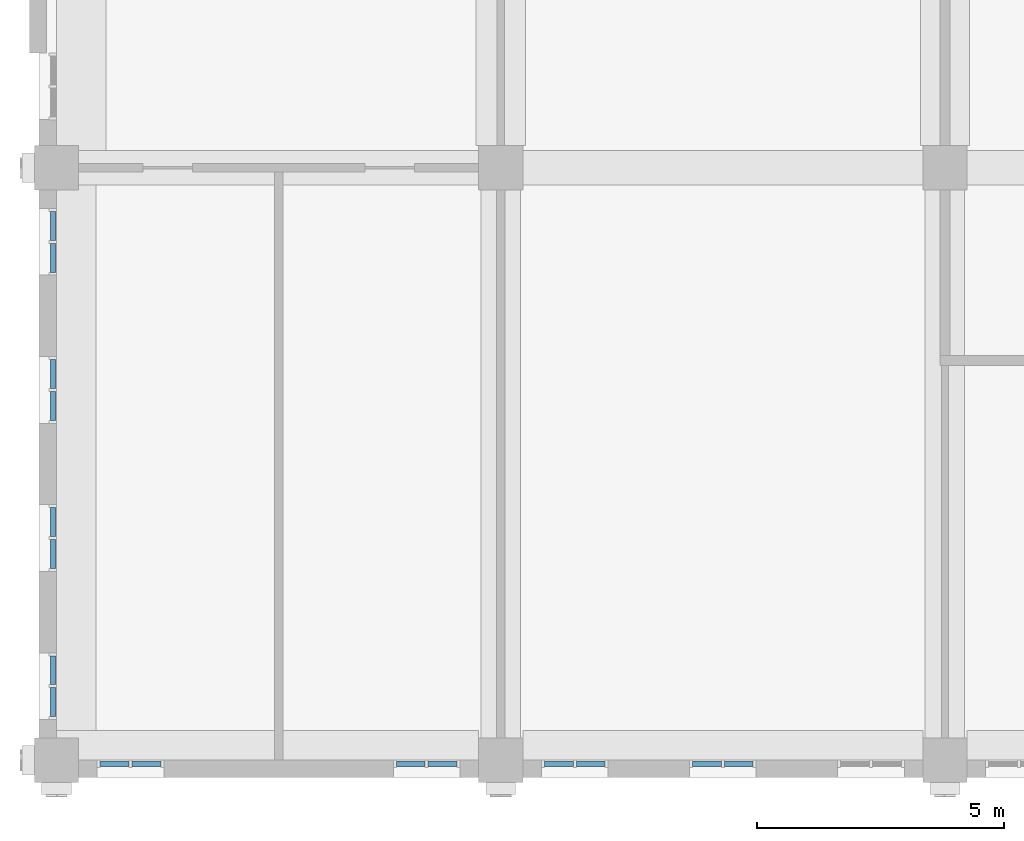
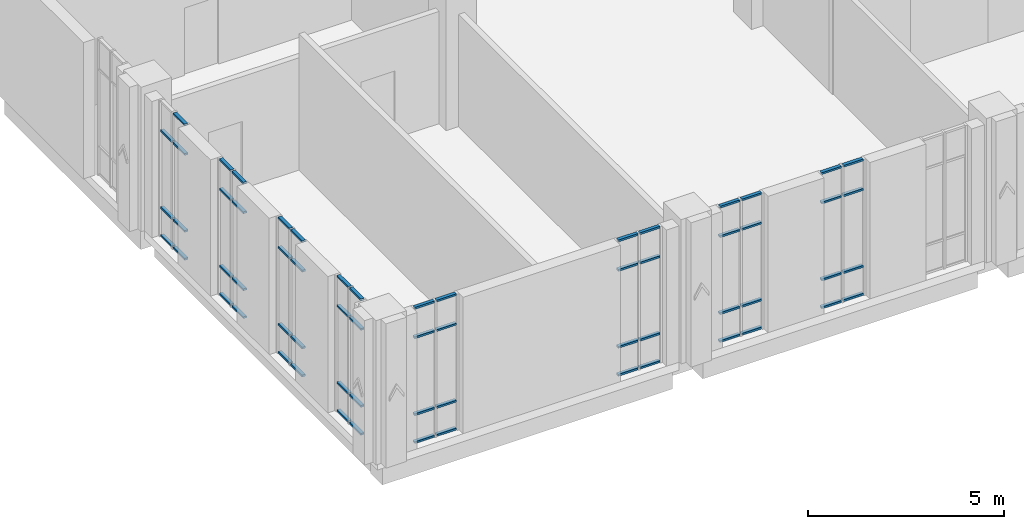
# One storey, part 4 of 13: 63 members, 8 elements without a shape of their own.
"""IFC4 building model written with IfcOpenShell, lengths in metres."""

from ifc_helpers import new_model, si_unit, direction, frame, origin, origin_2d, place, context, subcontext, project, spatial, rectangle, extrude, material, layer, layer_set, material_profile, profile_set, type_object, element, aggregate, save


model = new_model("IFC4")

# Units and contexts
model_context = context("Model", 3, precision=1e-05, world=origin(), true_north=direction((0.0, 1.0)))
body_context = subcontext(model_context, "Body", "Model", "MODEL_VIEW")
ifc_project = project(units=[si_unit("LENGTHUNIT", "METRE"), si_unit("AREAUNIT", "SQUARE_METRE"), si_unit("VOLUMEUNIT", "CUBIC_METRE"), si_unit("PLANEANGLEUNIT", "RADIAN"), si_unit("MASSUNIT", "GRAM", prefix="KILO")], contexts=[model_context])

# Site, building, storey
site_placement = place(None, origin())
site = spatial("IfcSite", under=ifc_project, at=site_placement, CompositionType="ELEMENT")
building_placement = place(site_placement, origin())
building = spatial("IfcBuilding", under=site, at=building_placement, Name="Aurelan Courthouse", CompositionType="ELEMENT")
storey_placement = place(building_placement, frame((0.0, 0.0, 48.89990234375)))
storey = spatial("IfcBuildingStorey", under=building, at=storey_placement, Name="L09", CompositionType="ELEMENT", Elevation=48.89990234375)

# Curtain wall, members
ifc_material_1 = material(Name="Bronze-finished aluminium and glass", Category="aluminium")
ifc_layer = layer(ifc_material_1, 0.14990234375)
ifc_layer_set = layer_set([ifc_layer], Name="Bronze-finished aluminium and glass")
curtain_wall_type = type_object("IfcCurtainWallType", Name="Curtain wall 1350 x 4250", PredefinedType="NOTDEFINED", material=ifc_layer_set)
curtain_wall_1_placement = place(storey_placement, origin())
curtain_wall_1 = element("IfcCurtainWall", 1, at=curtain_wall_1_placement, inside=storey, type_object=curtain_wall_type, Name="Curtain wall CW-V5-L09-S01", PredefinedType="NOTDEFINED")
ifc_material_2 = material(Name="Bronze-finished aluminium", Category="aluminium")
ifc_material_profile = material_profile(ifc_material_2, rectangle(XDim=0.10009765625, YDim=0.06005859375, at=origin_2d()), Name="Bronze transom 60 x 100")
ifc_profile_set = profile_set([ifc_material_profile], Name="Bronze-finished aluminium")
member_type = type_object("IfcMemberType", Name="Curtain wall transom 60 x 100", PredefinedType="USERDEFINED", material=ifc_profile_set)
member_1_placement = place(storey_placement, frame((0.885009765625, -0.074951171875, 0.030029296875), z_axis=(1.0, 0.0, 0.0), x_axis=(0.0, 1.0, 0.0)))
member_1 = element("IfcMember", 2, at=member_1_placement, type_object=member_type, Name="CW-V5-L09-S01 transom 1.1", ObjectType="TRANSOM", PredefinedType="USERDEFINED", context=body_context, shape_type="SweptSolid", body=[
    extrude(rectangle(XDim=0.10009765625, YDim=0.06005859375, at=origin_2d()), origin(), (0.0, 0.0, 1.0), 0.5849609375),
])
member_2_placement = place(storey_placement, frame((0.885009765625, -0.074951171875, 0.900146484375), z_axis=(1.0, 0.0, 0.0), x_axis=(0.0, 1.0, 0.0)))
member_2 = element("IfcMember", 3, at=member_2_placement, type_object=member_type, Name="CW-V5-L09-S01 transom 1.2", ObjectType="TRANSOM", PredefinedType="USERDEFINED", context=body_context, shape_type="SweptSolid", body=[
    extrude(rectangle(XDim=0.10009765625, YDim=0.06005859375, at=origin_2d()), origin(), (0.0, 0.0, 1.0), 0.5849609375),
])
member_3_placement = place(storey_placement, frame((0.885009765625, -0.074951171875, 3.300048828125), z_axis=(1.0, 0.0, 0.0), x_axis=(0.0, 1.0, 0.0)))
member_3 = element("IfcMember", 4, at=member_3_placement, type_object=member_type, Name="CW-V5-L09-S01 transom 1.3", ObjectType="TRANSOM", PredefinedType="USERDEFINED", context=body_context, shape_type="SweptSolid", body=[
    extrude(rectangle(XDim=0.10009765625, YDim=0.06005859375, at=origin_2d()), origin(), (0.0, 0.0, 1.0), 0.5849609375),
])
member_4_placement = place(storey_placement, frame((0.885009765625, -0.074951171875, 4.22021484375), z_axis=(1.0, 0.0, 0.0), x_axis=(0.0, 1.0, 0.0)))
member_4 = element("IfcMember", 5, at=member_4_placement, type_object=member_type, Name="CW-V5-L09-S01 transom 1.4", ObjectType="TRANSOM", PredefinedType="USERDEFINED", context=body_context, shape_type="SweptSolid", body=[
    extrude(rectangle(XDim=0.10009765625, YDim=0.06005859375, at=origin_2d()), origin(), (0.0, 0.0, 1.0), 0.5849609375),
])
member_5_placement = place(storey_placement, frame((1.530029296875, -0.074951171875, 0.030029296875), z_axis=(1.0, 0.0, 0.0), x_axis=(0.0, 1.0, 0.0)))
member_5 = element("IfcMember", 6, at=member_5_placement, type_object=member_type, Name="CW-V5-L09-S01 transom 2.1", ObjectType="TRANSOM", PredefinedType="USERDEFINED", context=body_context, shape_type="SweptSolid", body=[
    extrude(rectangle(XDim=0.10009765625, YDim=0.06005859375, at=origin_2d()), origin(), (0.0, 0.0, 1.0), 0.5849609375),
])
member_6_placement = place(storey_placement, frame((1.530029296875, -0.074951171875, 0.900146484375), z_axis=(1.0, 0.0, 0.0), x_axis=(0.0, 1.0, 0.0)))
member_6 = element("IfcMember", 7, at=member_6_placement, type_object=member_type, Name="CW-V5-L09-S01 transom 2.2", ObjectType="TRANSOM", PredefinedType="USERDEFINED", context=body_context, shape_type="SweptSolid", body=[
    extrude(rectangle(XDim=0.10009765625, YDim=0.06005859375, at=origin_2d()), origin(), (0.0, 0.0, 1.0), 0.5849609375),
])
member_7_placement = place(storey_placement, frame((1.530029296875, -0.074951171875, 3.300048828125), z_axis=(1.0, 0.0, 0.0), x_axis=(0.0, 1.0, 0.0)))
member_7 = element("IfcMember", 8, at=member_7_placement, type_object=member_type, Name="CW-V5-L09-S01 transom 2.3", ObjectType="TRANSOM", PredefinedType="USERDEFINED", context=body_context, shape_type="SweptSolid", body=[
    extrude(rectangle(XDim=0.10009765625, YDim=0.06005859375, at=origin_2d()), origin(), (0.0, 0.0, 1.0), 0.5849609375),
])
member_8_placement = place(storey_placement, frame((1.530029296875, -0.074951171875, 4.22021484375), z_axis=(1.0, 0.0, 0.0), x_axis=(0.0, 1.0, 0.0)))
member_8 = element("IfcMember", 9, at=member_8_placement, type_object=member_type, Name="CW-V5-L09-S01 transom 2.4", ObjectType="TRANSOM", PredefinedType="USERDEFINED", context=body_context, shape_type="SweptSolid", body=[
    extrude(rectangle(XDim=0.10009765625, YDim=0.06005859375, at=origin_2d()), origin(), (0.0, 0.0, 1.0), 0.5849609375),
])
aggregate(curtain_wall_1, [member_1, member_2, member_3, member_4, member_5, member_6, member_7, member_8])

curtain_wall_2_placement = place(storey_placement, origin())
curtain_wall_2 = element("IfcCurtainWall", 10, at=curtain_wall_2_placement, inside=storey, type_object=curtain_wall_type, Name="Curtain wall CW-V5-L09-S02", PredefinedType="NOTDEFINED")
member_9_placement = place(storey_placement, frame((6.885009765625, -0.074951171875, 0.030029296875), z_axis=(1.0, 0.0, 0.0), x_axis=(0.0, 1.0, 0.0)))
member_9 = element("IfcMember", 11, at=member_9_placement, type_object=member_type, Name="CW-V5-L09-S02 transom 1.1", ObjectType="TRANSOM", PredefinedType="USERDEFINED", context=body_context, shape_type="SweptSolid", body=[
    extrude(rectangle(XDim=0.10009765625, YDim=0.06005859375, at=origin_2d()), origin(), (0.0, 0.0, 1.0), 0.5849609375),
])
member_10_placement = place(storey_placement, frame((6.885009765625, -0.074951171875, 0.900146484375), z_axis=(1.0, 0.0, 0.0), x_axis=(0.0, 1.0, 0.0)))
member_10 = element("IfcMember", 12, at=member_10_placement, type_object=member_type, Name="CW-V5-L09-S02 transom 1.2", ObjectType="TRANSOM", PredefinedType="USERDEFINED", context=body_context, shape_type="SweptSolid", body=[
    extrude(rectangle(XDim=0.10009765625, YDim=0.06005859375, at=origin_2d()), origin(), (0.0, 0.0, 1.0), 0.5849609375),
])
member_11_placement = place(storey_placement, frame((6.885009765625, -0.074951171875, 3.300048828125), z_axis=(1.0, 0.0, 0.0), x_axis=(0.0, 1.0, 0.0)))
member_11 = element("IfcMember", 13, at=member_11_placement, type_object=member_type, Name="CW-V5-L09-S02 transom 1.3", ObjectType="TRANSOM", PredefinedType="USERDEFINED", context=body_context, shape_type="SweptSolid", body=[
    extrude(rectangle(XDim=0.10009765625, YDim=0.06005859375, at=origin_2d()), origin(), (0.0, 0.0, 1.0), 0.5849609375),
])
member_12_placement = place(storey_placement, frame((6.885009765625, -0.074951171875, 4.22021484375), z_axis=(1.0, 0.0, 0.0), x_axis=(0.0, 1.0, 0.0)))
member_12 = element("IfcMember", 14, at=member_12_placement, type_object=member_type, Name="CW-V5-L09-S02 transom 1.4", ObjectType="TRANSOM", PredefinedType="USERDEFINED", context=body_context, shape_type="SweptSolid", body=[
    extrude(rectangle(XDim=0.10009765625, YDim=0.06005859375, at=origin_2d()), origin(), (0.0, 0.0, 1.0), 0.5849609375),
])
member_13_placement = place(storey_placement, frame((7.530029296875, -0.074951171875, 0.030029296875), z_axis=(1.0, 0.0, 0.0), x_axis=(0.0, 1.0, 0.0)))
member_13 = element("IfcMember", 15, at=member_13_placement, type_object=member_type, Name="CW-V5-L09-S02 transom 2.1", ObjectType="TRANSOM", PredefinedType="USERDEFINED", context=body_context, shape_type="SweptSolid", body=[
    extrude(rectangle(XDim=0.10009765625, YDim=0.06005859375, at=origin_2d()), origin(), (0.0, 0.0, 1.0), 0.5849609375),
])
member_14_placement = place(storey_placement, frame((7.530029296875, -0.074951171875, 0.900146484375), z_axis=(1.0, 0.0, 0.0), x_axis=(0.0, 1.0, 0.0)))
member_14 = element("IfcMember", 16, at=member_14_placement, type_object=member_type, Name="CW-V5-L09-S02 transom 2.2", ObjectType="TRANSOM", PredefinedType="USERDEFINED", context=body_context, shape_type="SweptSolid", body=[
    extrude(rectangle(XDim=0.10009765625, YDim=0.06005859375, at=origin_2d()), origin(), (0.0, 0.0, 1.0), 0.5849609375),
])
member_15_placement = place(storey_placement, frame((7.530029296875, -0.074951171875, 3.300048828125), z_axis=(1.0, 0.0, 0.0), x_axis=(0.0, 1.0, 0.0)))
member_15 = element("IfcMember", 17, at=member_15_placement, type_object=member_type, Name="CW-V5-L09-S02 transom 2.3", ObjectType="TRANSOM", PredefinedType="USERDEFINED", context=body_context, shape_type="SweptSolid", body=[
    extrude(rectangle(XDim=0.10009765625, YDim=0.06005859375, at=origin_2d()), origin(), (0.0, 0.0, 1.0), 0.5849609375),
])
member_16_placement = place(storey_placement, frame((7.530029296875, -0.074951171875, 4.22021484375), z_axis=(1.0, 0.0, 0.0), x_axis=(0.0, 1.0, 0.0)))
member_16 = element("IfcMember", 18, at=member_16_placement, type_object=member_type, Name="CW-V5-L09-S02 transom 2.4", ObjectType="TRANSOM", PredefinedType="USERDEFINED", context=body_context, shape_type="SweptSolid", body=[
    extrude(rectangle(XDim=0.10009765625, YDim=0.06005859375, at=origin_2d()), origin(), (0.0, 0.0, 1.0), 0.5849609375),
])
aggregate(curtain_wall_2, [member_9, member_10, member_11, member_12, member_13, member_14, member_15, member_16])

curtain_wall_3_placement = place(storey_placement, origin())
curtain_wall_3 = element("IfcCurtainWall", 19, at=curtain_wall_3_placement, inside=storey, type_object=curtain_wall_type, Name="Curtain wall CW-V5-L09-S03", PredefinedType="NOTDEFINED")
member_17_placement = place(storey_placement, frame((9.885009765625, -0.074951171875, 0.030029296875), z_axis=(1.0, 0.0, 0.0), x_axis=(0.0, 1.0, 0.0)))
member_17 = element("IfcMember", 20, at=member_17_placement, type_object=member_type, Name="CW-V5-L09-S03 transom 1.1", ObjectType="TRANSOM", PredefinedType="USERDEFINED", context=body_context, shape_type="SweptSolid", body=[
    extrude(rectangle(XDim=0.10009765625, YDim=0.06005859375, at=origin_2d()), origin(), (0.0, 0.0, 1.0), 0.5849609375),
])
member_18_placement = place(storey_placement, frame((9.885009765625, -0.074951171875, 0.900146484375), z_axis=(1.0, 0.0, 0.0), x_axis=(0.0, 1.0, 0.0)))
member_18 = element("IfcMember", 21, at=member_18_placement, type_object=member_type, Name="CW-V5-L09-S03 transom 1.2", ObjectType="TRANSOM", PredefinedType="USERDEFINED", context=body_context, shape_type="SweptSolid", body=[
    extrude(rectangle(XDim=0.10009765625, YDim=0.06005859375, at=origin_2d()), origin(), (0.0, 0.0, 1.0), 0.5849609375),
])
member_19_placement = place(storey_placement, frame((9.885009765625, -0.074951171875, 3.300048828125), z_axis=(1.0, 0.0, 0.0), x_axis=(0.0, 1.0, 0.0)))
member_19 = element("IfcMember", 22, at=member_19_placement, type_object=member_type, Name="CW-V5-L09-S03 transom 1.3", ObjectType="TRANSOM", PredefinedType="USERDEFINED", context=body_context, shape_type="SweptSolid", body=[
    extrude(rectangle(XDim=0.10009765625, YDim=0.06005859375, at=origin_2d()), origin(), (0.0, 0.0, 1.0), 0.5849609375),
])
member_20_placement = place(storey_placement, frame((9.885009765625, -0.074951171875, 4.22021484375), z_axis=(1.0, 0.0, 0.0), x_axis=(0.0, 1.0, 0.0)))
member_20 = element("IfcMember", 23, at=member_20_placement, type_object=member_type, Name="CW-V5-L09-S03 transom 1.4", ObjectType="TRANSOM", PredefinedType="USERDEFINED", context=body_context, shape_type="SweptSolid", body=[
    extrude(rectangle(XDim=0.10009765625, YDim=0.06005859375, at=origin_2d()), origin(), (0.0, 0.0, 1.0), 0.5849609375),
])
member_21_placement = place(storey_placement, frame((10.530029296875, -0.074951171875, 0.030029296875), z_axis=(1.0, 0.0, 0.0), x_axis=(0.0, 1.0, 0.0)))
member_21 = element("IfcMember", 24, at=member_21_placement, type_object=member_type, Name="CW-V5-L09-S03 transom 2.1", ObjectType="TRANSOM", PredefinedType="USERDEFINED", context=body_context, shape_type="SweptSolid", body=[
    extrude(rectangle(XDim=0.10009765625, YDim=0.06005859375, at=origin_2d()), origin(), (0.0, 0.0, 1.0), 0.5849609375),
])
member_22_placement = place(storey_placement, frame((10.530029296875, -0.074951171875, 0.900146484375), z_axis=(1.0, 0.0, 0.0), x_axis=(0.0, 1.0, 0.0)))
member_22 = element("IfcMember", 25, at=member_22_placement, type_object=member_type, Name="CW-V5-L09-S03 transom 2.2", ObjectType="TRANSOM", PredefinedType="USERDEFINED", context=body_context, shape_type="SweptSolid", body=[
    extrude(rectangle(XDim=0.10009765625, YDim=0.06005859375, at=origin_2d()), origin(), (0.0, 0.0, 1.0), 0.5849609375),
])
member_23_placement = place(storey_placement, frame((10.530029296875, -0.074951171875, 3.300048828125), z_axis=(1.0, 0.0, 0.0), x_axis=(0.0, 1.0, 0.0)))
member_23 = element("IfcMember", 26, at=member_23_placement, type_object=member_type, Name="CW-V5-L09-S03 transom 2.3", ObjectType="TRANSOM", PredefinedType="USERDEFINED", context=body_context, shape_type="SweptSolid", body=[
    extrude(rectangle(XDim=0.10009765625, YDim=0.06005859375, at=origin_2d()), origin(), (0.0, 0.0, 1.0), 0.5849609375),
])
member_24_placement = place(storey_placement, frame((10.530029296875, -0.074951171875, 4.22021484375), z_axis=(1.0, 0.0, 0.0), x_axis=(0.0, 1.0, 0.0)))
member_24 = element("IfcMember", 27, at=member_24_placement, type_object=member_type, Name="CW-V5-L09-S03 transom 2.4", ObjectType="TRANSOM", PredefinedType="USERDEFINED", context=body_context, shape_type="SweptSolid", body=[
    extrude(rectangle(XDim=0.10009765625, YDim=0.06005859375, at=origin_2d()), origin(), (0.0, 0.0, 1.0), 0.5849609375),
])
aggregate(curtain_wall_3, [member_17, member_18, member_19, member_20, member_21, member_22, member_23, member_24])

curtain_wall_4_placement = place(storey_placement, origin())
curtain_wall_4 = element("IfcCurtainWall", 28, at=curtain_wall_4_placement, inside=storey, type_object=curtain_wall_type, Name="Curtain wall CW-V5-L09-S04", PredefinedType="NOTDEFINED")
member_25_placement = place(storey_placement, frame((12.885009765625, -0.074951171875, 0.030029296875), z_axis=(1.0, 0.0, 0.0), x_axis=(0.0, 1.0, 0.0)))
member_25 = element("IfcMember", 29, at=member_25_placement, type_object=member_type, Name="CW-V5-L09-S04 transom 1.1", ObjectType="TRANSOM", PredefinedType="USERDEFINED", context=body_context, shape_type="SweptSolid", body=[
    extrude(rectangle(XDim=0.10009765625, YDim=0.06005859375, at=origin_2d()), origin(), (0.0, 0.0, 1.0), 0.5849609375),
])
member_26_placement = place(storey_placement, frame((12.885009765625, -0.074951171875, 0.900146484375), z_axis=(1.0, 0.0, 0.0), x_axis=(0.0, 1.0, 0.0)))
member_26 = element("IfcMember", 30, at=member_26_placement, type_object=member_type, Name="CW-V5-L09-S04 transom 1.2", ObjectType="TRANSOM", PredefinedType="USERDEFINED", context=body_context, shape_type="SweptSolid", body=[
    extrude(rectangle(XDim=0.10009765625, YDim=0.06005859375, at=origin_2d()), origin(), (0.0, 0.0, 1.0), 0.5849609375),
])
member_27_placement = place(storey_placement, frame((12.885009765625, -0.074951171875, 3.300048828125), z_axis=(1.0, 0.0, 0.0), x_axis=(0.0, 1.0, 0.0)))
member_27 = element("IfcMember", 31, at=member_27_placement, type_object=member_type, Name="CW-V5-L09-S04 transom 1.3", ObjectType="TRANSOM", PredefinedType="USERDEFINED", context=body_context, shape_type="SweptSolid", body=[
    extrude(rectangle(XDim=0.10009765625, YDim=0.06005859375, at=origin_2d()), origin(), (0.0, 0.0, 1.0), 0.5849609375),
])
member_28_placement = place(storey_placement, frame((12.885009765625, -0.074951171875, 4.22021484375), z_axis=(1.0, 0.0, 0.0), x_axis=(0.0, 1.0, 0.0)))
member_28 = element("IfcMember", 32, at=member_28_placement, type_object=member_type, Name="CW-V5-L09-S04 transom 1.4", ObjectType="TRANSOM", PredefinedType="USERDEFINED", context=body_context, shape_type="SweptSolid", body=[
    extrude(rectangle(XDim=0.10009765625, YDim=0.06005859375, at=origin_2d()), origin(), (0.0, 0.0, 1.0), 0.5849609375),
])
member_29_placement = place(storey_placement, frame((13.530029296875, -0.074951171875, 0.030029296875), z_axis=(1.0, 0.0, 0.0), x_axis=(0.0, 1.0, 0.0)))
member_29 = element("IfcMember", 33, at=member_29_placement, type_object=member_type, Name="CW-V5-L09-S04 transom 2.1", ObjectType="TRANSOM", PredefinedType="USERDEFINED", context=body_context, shape_type="SweptSolid", body=[
    extrude(rectangle(XDim=0.10009765625, YDim=0.06005859375, at=origin_2d()), origin(), (0.0, 0.0, 1.0), 0.5849609375),
])
member_30_placement = place(storey_placement, frame((13.530029296875, -0.074951171875, 0.900146484375), z_axis=(1.0, 0.0, 0.0), x_axis=(0.0, 1.0, 0.0)))
member_30 = element("IfcMember", 34, at=member_30_placement, type_object=member_type, Name="CW-V5-L09-S04 transom 2.2", ObjectType="TRANSOM", PredefinedType="USERDEFINED", context=body_context, shape_type="SweptSolid", body=[
    extrude(rectangle(XDim=0.10009765625, YDim=0.06005859375, at=origin_2d()), origin(), (0.0, 0.0, 1.0), 0.5849609375),
])
member_31_placement = place(storey_placement, frame((13.530029296875, -0.074951171875, 3.300048828125), z_axis=(1.0, 0.0, 0.0), x_axis=(0.0, 1.0, 0.0)))
member_31 = element("IfcMember", 35, at=member_31_placement, type_object=member_type, Name="CW-V5-L09-S04 transom 2.3", ObjectType="TRANSOM", PredefinedType="USERDEFINED", context=body_context, shape_type="SweptSolid", body=[
    extrude(rectangle(XDim=0.10009765625, YDim=0.06005859375, at=origin_2d()), origin(), (0.0, 0.0, 1.0), 0.5849609375),
])
member_32_placement = place(storey_placement, frame((13.530029296875, -0.074951171875, 4.22021484375), z_axis=(1.0, 0.0, 0.0), x_axis=(0.0, 1.0, 0.0)))
member_32 = element("IfcMember", 36, at=member_32_placement, type_object=member_type, Name="CW-V5-L09-S04 transom 2.4", ObjectType="TRANSOM", PredefinedType="USERDEFINED", context=body_context, shape_type="SweptSolid", body=[
    extrude(rectangle(XDim=0.10009765625, YDim=0.06005859375, at=origin_2d()), origin(), (0.0, 0.0, 1.0), 0.5849609375),
])
aggregate(curtain_wall_4, [member_25, member_26, member_27, member_28, member_29, member_30, member_31, member_32])

curtain_wall_5_placement = place(storey_placement, origin())
curtain_wall_5 = element("IfcCurtainWall", 37, at=curtain_wall_5_placement, inside=storey, type_object=curtain_wall_type, Name="Curtain wall CW-V5-L09-W01", PredefinedType="NOTDEFINED")
member_33_placement = place(storey_placement, frame((-0.074951171875, 0.885009765625, 0.030029296875), z_axis=(0.0, 1.0, 0.0), x_axis=(-1.0, 0.0, 0.0)))
member_33 = element("IfcMember", 38, at=member_33_placement, type_object=member_type, Name="CW-V5-L09-W01 transom 1.1", ObjectType="TRANSOM", PredefinedType="USERDEFINED", context=body_context, shape_type="SweptSolid", body=[
    extrude(rectangle(XDim=0.10009765625, YDim=0.06005859375, at=origin_2d()), origin(), (0.0, 0.0, 1.0), 0.5849609375),
])
member_34_placement = place(storey_placement, frame((-0.074951171875, 0.885009765625, 0.900146484375), z_axis=(0.0, 1.0, 0.0), x_axis=(-1.0, 0.0, 0.0)))
member_34 = element("IfcMember", 39, at=member_34_placement, type_object=member_type, Name="CW-V5-L09-W01 transom 1.2", ObjectType="TRANSOM", PredefinedType="USERDEFINED", context=body_context, shape_type="SweptSolid", body=[
    extrude(rectangle(XDim=0.10009765625, YDim=0.06005859375, at=origin_2d()), origin(), (0.0, 0.0, 1.0), 0.5849609375),
])
member_35_placement = place(storey_placement, frame((-0.074951171875, 0.885009765625, 3.300048828125), z_axis=(0.0, 1.0, 0.0), x_axis=(-1.0, 0.0, 0.0)))
member_35 = element("IfcMember", 40, at=member_35_placement, type_object=member_type, Name="CW-V5-L09-W01 transom 1.3", ObjectType="TRANSOM", PredefinedType="USERDEFINED", context=body_context, shape_type="SweptSolid", body=[
    extrude(rectangle(XDim=0.10009765625, YDim=0.06005859375, at=origin_2d()), origin(), (0.0, 0.0, 1.0), 0.5849609375),
])
member_36_placement = place(storey_placement, frame((-0.074951171875, 0.885009765625, 4.22021484375), z_axis=(0.0, 1.0, 0.0), x_axis=(-1.0, 0.0, 0.0)))
member_36 = element("IfcMember", 41, at=member_36_placement, type_object=member_type, Name="CW-V5-L09-W01 transom 1.4", ObjectType="TRANSOM", PredefinedType="USERDEFINED", context=body_context, shape_type="SweptSolid", body=[
    extrude(rectangle(XDim=0.10009765625, YDim=0.06005859375, at=origin_2d()), origin(), (0.0, 0.0, 1.0), 0.5849609375),
])
member_37_placement = place(storey_placement, frame((-0.074951171875, 1.530029296875, 0.030029296875), z_axis=(0.0, 1.0, 0.0), x_axis=(-1.0, 0.0, 0.0)))
member_37 = element("IfcMember", 42, at=member_37_placement, type_object=member_type, Name="CW-V5-L09-W01 transom 2.1", ObjectType="TRANSOM", PredefinedType="USERDEFINED", context=body_context, shape_type="SweptSolid", body=[
    extrude(rectangle(XDim=0.10009765625, YDim=0.06005859375, at=origin_2d()), origin(), (0.0, 0.0, 1.0), 0.5849609375),
])
member_38_placement = place(storey_placement, frame((-0.074951171875, 1.530029296875, 0.900146484375), z_axis=(0.0, 1.0, 0.0), x_axis=(-1.0, 0.0, 0.0)))
member_38 = element("IfcMember", 43, at=member_38_placement, type_object=member_type, Name="CW-V5-L09-W01 transom 2.2", ObjectType="TRANSOM", PredefinedType="USERDEFINED", context=body_context, shape_type="SweptSolid", body=[
    extrude(rectangle(XDim=0.10009765625, YDim=0.06005859375, at=origin_2d()), origin(), (0.0, 0.0, 1.0), 0.5849609375),
])
member_39_placement = place(storey_placement, frame((-0.074951171875, 1.530029296875, 3.300048828125), z_axis=(0.0, 1.0, 0.0), x_axis=(-1.0, 0.0, 0.0)))
member_39 = element("IfcMember", 44, at=member_39_placement, type_object=member_type, Name="CW-V5-L09-W01 transom 2.3", ObjectType="TRANSOM", PredefinedType="USERDEFINED", context=body_context, shape_type="SweptSolid", body=[
    extrude(rectangle(XDim=0.10009765625, YDim=0.06005859375, at=origin_2d()), origin(), (0.0, 0.0, 1.0), 0.5849609375),
])
member_40_placement = place(storey_placement, frame((-0.074951171875, 1.530029296875, 4.22021484375), z_axis=(0.0, 1.0, 0.0), x_axis=(-1.0, 0.0, 0.0)))
member_40 = element("IfcMember", 45, at=member_40_placement, type_object=member_type, Name="CW-V5-L09-W01 transom 2.4", ObjectType="TRANSOM", PredefinedType="USERDEFINED", context=body_context, shape_type="SweptSolid", body=[
    extrude(rectangle(XDim=0.10009765625, YDim=0.06005859375, at=origin_2d()), origin(), (0.0, 0.0, 1.0), 0.5849609375),
])
aggregate(curtain_wall_5, [member_33, member_34, member_35, member_36, member_37, member_38, member_39, member_40])

curtain_wall_6_placement = place(storey_placement, origin())
curtain_wall_6 = element("IfcCurtainWall", 46, at=curtain_wall_6_placement, inside=storey, type_object=curtain_wall_type, Name="Curtain wall CW-V5-L09-W02", PredefinedType="NOTDEFINED")
member_41_placement = place(storey_placement, frame((-0.074951171875, 3.885009765625, 0.030029296875), z_axis=(0.0, 1.0, 0.0), x_axis=(-1.0, 0.0, 0.0)))
member_41 = element("IfcMember", 47, at=member_41_placement, type_object=member_type, Name="CW-V5-L09-W02 transom 1.1", ObjectType="TRANSOM", PredefinedType="USERDEFINED", context=body_context, shape_type="SweptSolid", body=[
    extrude(rectangle(XDim=0.10009765625, YDim=0.06005859375, at=origin_2d()), origin(), (0.0, 0.0, 1.0), 0.5849609375),
])
member_42_placement = place(storey_placement, frame((-0.074951171875, 3.885009765625, 0.900146484375), z_axis=(0.0, 1.0, 0.0), x_axis=(-1.0, 0.0, 0.0)))
member_42 = element("IfcMember", 48, at=member_42_placement, type_object=member_type, Name="CW-V5-L09-W02 transom 1.2", ObjectType="TRANSOM", PredefinedType="USERDEFINED", context=body_context, shape_type="SweptSolid", body=[
    extrude(rectangle(XDim=0.10009765625, YDim=0.06005859375, at=origin_2d()), origin(), (0.0, 0.0, 1.0), 0.5849609375),
])
member_43_placement = place(storey_placement, frame((-0.074951171875, 3.885009765625, 3.300048828125), z_axis=(0.0, 1.0, 0.0), x_axis=(-1.0, 0.0, 0.0)))
member_43 = element("IfcMember", 49, at=member_43_placement, type_object=member_type, Name="CW-V5-L09-W02 transom 1.3", ObjectType="TRANSOM", PredefinedType="USERDEFINED", context=body_context, shape_type="SweptSolid", body=[
    extrude(rectangle(XDim=0.10009765625, YDim=0.06005859375, at=origin_2d()), origin(), (0.0, 0.0, 1.0), 0.5849609375),
])
member_44_placement = place(storey_placement, frame((-0.074951171875, 3.885009765625, 4.22021484375), z_axis=(0.0, 1.0, 0.0), x_axis=(-1.0, 0.0, 0.0)))
member_44 = element("IfcMember", 50, at=member_44_placement, type_object=member_type, Name="CW-V5-L09-W02 transom 1.4", ObjectType="TRANSOM", PredefinedType="USERDEFINED", context=body_context, shape_type="SweptSolid", body=[
    extrude(rectangle(XDim=0.10009765625, YDim=0.06005859375, at=origin_2d()), origin(), (0.0, 0.0, 1.0), 0.5849609375),
])
member_45_placement = place(storey_placement, frame((-0.074951171875, 4.530029296875, 0.030029296875), z_axis=(0.0, 1.0, 0.0), x_axis=(-1.0, 0.0, 0.0)))
member_45 = element("IfcMember", 51, at=member_45_placement, type_object=member_type, Name="CW-V5-L09-W02 transom 2.1", ObjectType="TRANSOM", PredefinedType="USERDEFINED", context=body_context, shape_type="SweptSolid", body=[
    extrude(rectangle(XDim=0.10009765625, YDim=0.06005859375, at=origin_2d()), origin(), (0.0, 0.0, 1.0), 0.5849609375),
])
member_46_placement = place(storey_placement, frame((-0.074951171875, 4.530029296875, 0.900146484375), z_axis=(0.0, 1.0, 0.0), x_axis=(-1.0, 0.0, 0.0)))
member_46 = element("IfcMember", 52, at=member_46_placement, type_object=member_type, Name="CW-V5-L09-W02 transom 2.2", ObjectType="TRANSOM", PredefinedType="USERDEFINED", context=body_context, shape_type="SweptSolid", body=[
    extrude(rectangle(XDim=0.10009765625, YDim=0.06005859375, at=origin_2d()), origin(), (0.0, 0.0, 1.0), 0.5849609375),
])
member_47_placement = place(storey_placement, frame((-0.074951171875, 4.530029296875, 3.300048828125), z_axis=(0.0, 1.0, 0.0), x_axis=(-1.0, 0.0, 0.0)))
member_47 = element("IfcMember", 53, at=member_47_placement, type_object=member_type, Name="CW-V5-L09-W02 transom 2.3", ObjectType="TRANSOM", PredefinedType="USERDEFINED", context=body_context, shape_type="SweptSolid", body=[
    extrude(rectangle(XDim=0.10009765625, YDim=0.06005859375, at=origin_2d()), origin(), (0.0, 0.0, 1.0), 0.5849609375),
])
member_48_placement = place(storey_placement, frame((-0.074951171875, 4.530029296875, 4.22021484375), z_axis=(0.0, 1.0, 0.0), x_axis=(-1.0, 0.0, 0.0)))
member_48 = element("IfcMember", 54, at=member_48_placement, type_object=member_type, Name="CW-V5-L09-W02 transom 2.4", ObjectType="TRANSOM", PredefinedType="USERDEFINED", context=body_context, shape_type="SweptSolid", body=[
    extrude(rectangle(XDim=0.10009765625, YDim=0.06005859375, at=origin_2d()), origin(), (0.0, 0.0, 1.0), 0.5849609375),
])
aggregate(curtain_wall_6, [member_41, member_42, member_43, member_44, member_45, member_46, member_47, member_48])

curtain_wall_7_placement = place(storey_placement, origin())
curtain_wall_7 = element("IfcCurtainWall", 55, at=curtain_wall_7_placement, inside=storey, type_object=curtain_wall_type, Name="Curtain wall CW-V5-L09-W03", PredefinedType="NOTDEFINED")
member_49_placement = place(storey_placement, frame((-0.074951171875, 6.885009765625, 0.030029296875), z_axis=(0.0, 1.0, 0.0), x_axis=(-1.0, 0.0, 0.0)))
member_49 = element("IfcMember", 56, at=member_49_placement, type_object=member_type, Name="CW-V5-L09-W03 transom 1.1", ObjectType="TRANSOM", PredefinedType="USERDEFINED", context=body_context, shape_type="SweptSolid", body=[
    extrude(rectangle(XDim=0.10009765625, YDim=0.06005859375, at=origin_2d()), origin(), (0.0, 0.0, 1.0), 0.5849609375),
])
member_50_placement = place(storey_placement, frame((-0.074951171875, 6.885009765625, 0.900146484375), z_axis=(0.0, 1.0, 0.0), x_axis=(-1.0, 0.0, 0.0)))
member_50 = element("IfcMember", 57, at=member_50_placement, type_object=member_type, Name="CW-V5-L09-W03 transom 1.2", ObjectType="TRANSOM", PredefinedType="USERDEFINED", context=body_context, shape_type="SweptSolid", body=[
    extrude(rectangle(XDim=0.10009765625, YDim=0.06005859375, at=origin_2d()), origin(), (0.0, 0.0, 1.0), 0.5849609375),
])
member_51_placement = place(storey_placement, frame((-0.074951171875, 6.885009765625, 3.300048828125), z_axis=(0.0, 1.0, 0.0), x_axis=(-1.0, 0.0, 0.0)))
member_51 = element("IfcMember", 58, at=member_51_placement, type_object=member_type, Name="CW-V5-L09-W03 transom 1.3", ObjectType="TRANSOM", PredefinedType="USERDEFINED", context=body_context, shape_type="SweptSolid", body=[
    extrude(rectangle(XDim=0.10009765625, YDim=0.06005859375, at=origin_2d()), origin(), (0.0, 0.0, 1.0), 0.5849609375),
])
member_52_placement = place(storey_placement, frame((-0.074951171875, 6.885009765625, 4.22021484375), z_axis=(0.0, 1.0, 0.0), x_axis=(-1.0, 0.0, 0.0)))
member_52 = element("IfcMember", 59, at=member_52_placement, type_object=member_type, Name="CW-V5-L09-W03 transom 1.4", ObjectType="TRANSOM", PredefinedType="USERDEFINED", context=body_context, shape_type="SweptSolid", body=[
    extrude(rectangle(XDim=0.10009765625, YDim=0.06005859375, at=origin_2d()), origin(), (0.0, 0.0, 1.0), 0.5849609375),
])
member_53_placement = place(storey_placement, frame((-0.074951171875, 7.530029296875, 0.030029296875), z_axis=(0.0, 1.0, 0.0), x_axis=(-1.0, 0.0, 0.0)))
member_53 = element("IfcMember", 60, at=member_53_placement, type_object=member_type, Name="CW-V5-L09-W03 transom 2.1", ObjectType="TRANSOM", PredefinedType="USERDEFINED", context=body_context, shape_type="SweptSolid", body=[
    extrude(rectangle(XDim=0.10009765625, YDim=0.06005859375, at=origin_2d()), origin(), (0.0, 0.0, 1.0), 0.5849609375),
])
member_54_placement = place(storey_placement, frame((-0.074951171875, 7.530029296875, 0.900146484375), z_axis=(0.0, 1.0, 0.0), x_axis=(-1.0, 0.0, 0.0)))
member_54 = element("IfcMember", 61, at=member_54_placement, type_object=member_type, Name="CW-V5-L09-W03 transom 2.2", ObjectType="TRANSOM", PredefinedType="USERDEFINED", context=body_context, shape_type="SweptSolid", body=[
    extrude(rectangle(XDim=0.10009765625, YDim=0.06005859375, at=origin_2d()), origin(), (0.0, 0.0, 1.0), 0.5849609375),
])
member_55_placement = place(storey_placement, frame((-0.074951171875, 7.530029296875, 3.300048828125), z_axis=(0.0, 1.0, 0.0), x_axis=(-1.0, 0.0, 0.0)))
member_55 = element("IfcMember", 62, at=member_55_placement, type_object=member_type, Name="CW-V5-L09-W03 transom 2.3", ObjectType="TRANSOM", PredefinedType="USERDEFINED", context=body_context, shape_type="SweptSolid", body=[
    extrude(rectangle(XDim=0.10009765625, YDim=0.06005859375, at=origin_2d()), origin(), (0.0, 0.0, 1.0), 0.5849609375),
])
member_56_placement = place(storey_placement, frame((-0.074951171875, 7.530029296875, 4.22021484375), z_axis=(0.0, 1.0, 0.0), x_axis=(-1.0, 0.0, 0.0)))
member_56 = element("IfcMember", 63, at=member_56_placement, type_object=member_type, Name="CW-V5-L09-W03 transom 2.4", ObjectType="TRANSOM", PredefinedType="USERDEFINED", context=body_context, shape_type="SweptSolid", body=[
    extrude(rectangle(XDim=0.10009765625, YDim=0.06005859375, at=origin_2d()), origin(), (0.0, 0.0, 1.0), 0.5849609375),
])
aggregate(curtain_wall_7, [member_49, member_50, member_51, member_52, member_53, member_54, member_55, member_56])

curtain_wall_8_placement = place(storey_placement, origin())
curtain_wall_8 = element("IfcCurtainWall", 64, at=curtain_wall_8_placement, inside=storey, type_object=curtain_wall_type, Name="Curtain wall CW-V5-L09-W04", PredefinedType="NOTDEFINED")
member_57_placement = place(storey_placement, frame((-0.074951171875, 9.885009765625, 0.030029296875), z_axis=(0.0, 1.0, 0.0), x_axis=(-1.0, 0.0, 0.0)))
member_57 = element("IfcMember", 65, at=member_57_placement, type_object=member_type, Name="CW-V5-L09-W04 transom 1.1", ObjectType="TRANSOM", PredefinedType="USERDEFINED", context=body_context, shape_type="SweptSolid", body=[
    extrude(rectangle(XDim=0.10009765625, YDim=0.06005859375, at=origin_2d()), origin(), (0.0, 0.0, 1.0), 0.5849609375),
])
member_58_placement = place(storey_placement, frame((-0.074951171875, 9.885009765625, 0.900146484375), z_axis=(0.0, 1.0, 0.0), x_axis=(-1.0, 0.0, 0.0)))
member_58 = element("IfcMember", 66, at=member_58_placement, type_object=member_type, Name="CW-V5-L09-W04 transom 1.2", ObjectType="TRANSOM", PredefinedType="USERDEFINED", context=body_context, shape_type="SweptSolid", body=[
    extrude(rectangle(XDim=0.10009765625, YDim=0.06005859375, at=origin_2d()), origin(), (0.0, 0.0, 1.0), 0.5849609375),
])
member_59_placement = place(storey_placement, frame((-0.074951171875, 9.885009765625, 3.300048828125), z_axis=(0.0, 1.0, 0.0), x_axis=(-1.0, 0.0, 0.0)))
member_59 = element("IfcMember", 67, at=member_59_placement, type_object=member_type, Name="CW-V5-L09-W04 transom 1.3", ObjectType="TRANSOM", PredefinedType="USERDEFINED", context=body_context, shape_type="SweptSolid", body=[
    extrude(rectangle(XDim=0.10009765625, YDim=0.06005859375, at=origin_2d()), origin(), (0.0, 0.0, 1.0), 0.5849609375),
])
member_60_placement = place(storey_placement, frame((-0.074951171875, 9.885009765625, 4.22021484375), z_axis=(0.0, 1.0, 0.0), x_axis=(-1.0, 0.0, 0.0)))
member_60 = element("IfcMember", 68, at=member_60_placement, type_object=member_type, Name="CW-V5-L09-W04 transom 1.4", ObjectType="TRANSOM", PredefinedType="USERDEFINED", context=body_context, shape_type="SweptSolid", body=[
    extrude(rectangle(XDim=0.10009765625, YDim=0.06005859375, at=origin_2d()), origin(), (0.0, 0.0, 1.0), 0.5849609375),
])
member_61_placement = place(storey_placement, frame((-0.074951171875, 10.530029296875, 0.030029296875), z_axis=(0.0, 1.0, 0.0), x_axis=(-1.0, 0.0, 0.0)))
member_61 = element("IfcMember", 69, at=member_61_placement, type_object=member_type, Name="CW-V5-L09-W04 transom 2.1", ObjectType="TRANSOM", PredefinedType="USERDEFINED", context=body_context, shape_type="SweptSolid", body=[
    extrude(rectangle(XDim=0.10009765625, YDim=0.06005859375, at=origin_2d()), origin(), (0.0, 0.0, 1.0), 0.5849609375),
])
member_62_placement = place(storey_placement, frame((-0.074951171875, 10.530029296875, 0.900146484375), z_axis=(0.0, 1.0, 0.0), x_axis=(-1.0, 0.0, 0.0)))
member_62 = element("IfcMember", 70, at=member_62_placement, type_object=member_type, Name="CW-V5-L09-W04 transom 2.2", ObjectType="TRANSOM", PredefinedType="USERDEFINED", context=body_context, shape_type="SweptSolid", body=[
    extrude(rectangle(XDim=0.10009765625, YDim=0.06005859375, at=origin_2d()), origin(), (0.0, 0.0, 1.0), 0.5849609375),
])
member_63_placement = place(storey_placement, frame((-0.074951171875, 10.530029296875, 3.300048828125), z_axis=(0.0, 1.0, 0.0), x_axis=(-1.0, 0.0, 0.0)))
member_63 = element("IfcMember", 71, at=member_63_placement, type_object=member_type, Name="CW-V5-L09-W04 transom 2.3", ObjectType="TRANSOM", PredefinedType="USERDEFINED", context=body_context, shape_type="SweptSolid", body=[
    extrude(rectangle(XDim=0.10009765625, YDim=0.06005859375, at=origin_2d()), origin(), (0.0, 0.0, 1.0), 0.5849609375),
])
aggregate(curtain_wall_8, [member_57, member_58, member_59, member_60, member_61, member_62, member_63])

save(model, "model.ifc")
